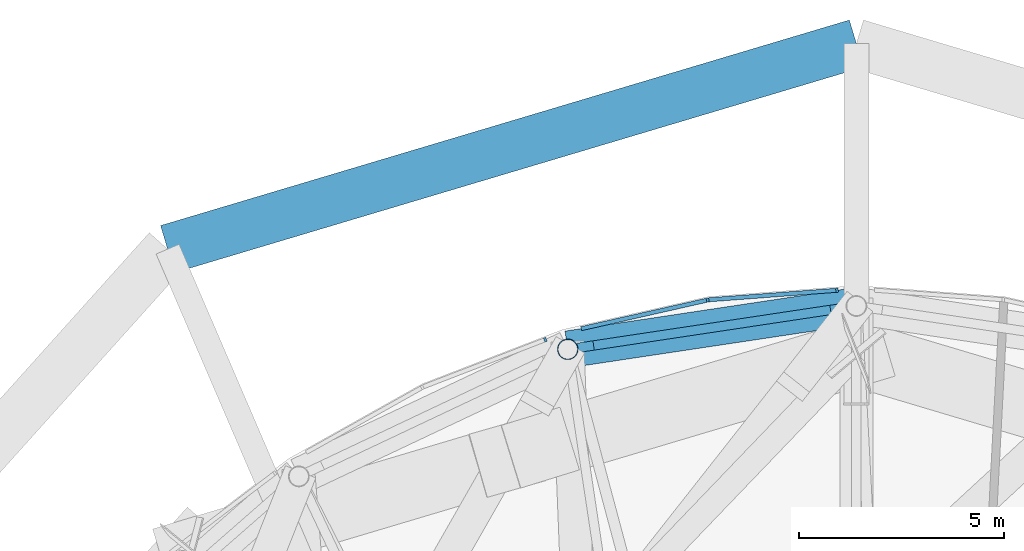
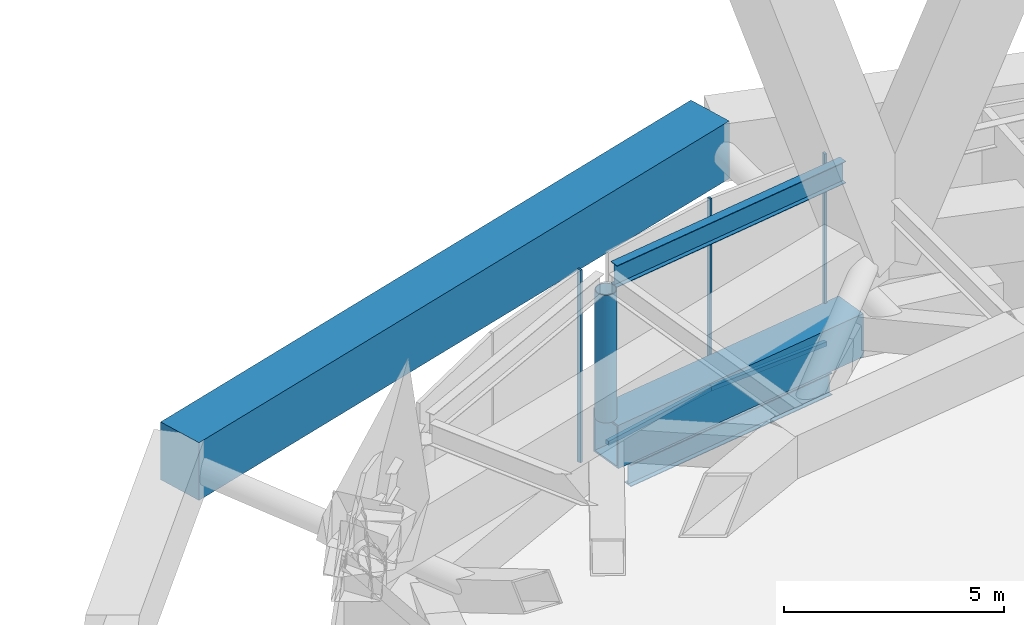
# One storey, part 44 of 65: 7 members, 3 beams, 3 elements without a shape of their own.
"""IFC4 building model written with IfcOpenShell, lengths in metres."""

from ifc_helpers import new_model, si_unit, direction, frame, origin, origin_2d, place, context, subcontext, project, spatial, rectangle, hollow_rectangle, hollow_circle, i_section, extrude, material, layer, layer_set, material_profile, profile_set, type_object, element, aggregate, save


model = new_model("IFC4")

# Units and contexts
model_context = context("Model", 3, precision=1e-05, world=origin(), true_north=direction((0.0, 1.0)))
body_context = subcontext(model_context, "Body", "Model", "MODEL_VIEW")
ifc_project = project(units=[si_unit("LENGTHUNIT", "METRE"), si_unit("AREAUNIT", "SQUARE_METRE"), si_unit("VOLUMEUNIT", "CUBIC_METRE"), si_unit("PLANEANGLEUNIT", "RADIAN"), si_unit("MASSUNIT", "GRAM", prefix="KILO")], contexts=[model_context])

# Site, building, storey
site_placement = place(None, origin())
site = spatial("IfcSite", under=ifc_project, at=site_placement, CompositionType="ELEMENT")
building_placement = place(site_placement, origin())
building = spatial("IfcBuilding", under=site, at=building_placement, Name="Nagisa Residences", CompositionType="ELEMENT")
storey_placement = place(building_placement, frame((0.0, 0.0, 114.0)))
storey = spatial("IfcBuildingStorey", under=building, at=storey_placement, Name="L28", CompositionType="ELEMENT", Elevation=114.0)

# Beam
ifc_material_1 = material(Name="Steel ASTM A572 Gr 50", Category="steel")
ifc_material_profile_1 = material_profile(ifc_material_1, hollow_rectangle(XDim=0.89990234375, YDim=1.199951171875, WallThickness=0.050048828125, at=origin_2d()), Name="BX 900x1200x50")
ifc_profile_set_1 = profile_set([ifc_material_profile_1], Name="Steel ASTM A572 Gr 50")
beam_type_1 = type_object("IfcBeamType", Name="Belt chord 2 BX 900x1200x50", PredefinedType="BEAM", material=ifc_profile_set_1)
beam_1_placement = place(storey_placement, frame((-1.800048828125, 34.1328125, 0.60009765625), z_axis=(-0.988913697291, -0.14849141157, 0.0), x_axis=(0.14849141157, -0.988913697291, 0.0)))
element("IfcBeam", 1, at=beam_1_placement, inside=storey, type_object=beam_type_1, Name="beam:L28:bt2b07", PredefinedType="BEAM", context=body_context, shape_type="SweptSolid", body=[
    extrude(hollow_rectangle(XDim=0.89990234375, YDim=1.199951171875, WallThickness=0.050048828125, at=origin_2d()), origin(), (0.0, 0.0, 1.0), 7.117431640625),
])

# Curtain wall, member
ifc_material_2 = material(Name="Aluminium curtain wall system", Category="aluminium")
ifc_layer = layer(ifc_material_2, 0.159912109375)
ifc_layer_set = layer_set([ifc_layer], Name="CW5 CURTAIN WALL")
curtain_wall_type = type_object("IfcCurtainWallType", Name="CW5 CURTAIN WALL", PredefinedType="NOTDEFINED", material=ifc_layer_set)
curtain_wall_1_placement = place(storey_placement, origin())
curtain_wall_1 = element("IfcCurtainWall", 2, at=curtain_wall_1_placement, inside=storey, type_object=curtain_wall_type, Name="cw:CW5:L28:12", PredefinedType="NOTDEFINED")
ifc_material_3 = material(Name="Aluminium", Category="aluminium")
ifc_material_profile_2 = material_profile(ifc_material_3, rectangle(XDim=0.10009765625, YDim=0.06005859375, at=origin_2d()), Name="CW5 MULLION 100x60")
ifc_profile_set_2 = profile_set([ifc_material_profile_2], Name="Aluminium")
member_type_1 = type_object("IfcMemberType", Name="CW5 MULLION 100x60", PredefinedType="MULLION", material=ifc_profile_set_2)
member_1_placement = place(storey_placement, frame((-2.272705078125, 34.51708984375, 0.0), z_axis=(0.0, 0.0, 1.0), x_axis=(0.074377355493, -0.997230168512, 0.0)))
member_1 = element("IfcMember", 3, at=member_1_placement, type_object=member_type_1, Name="CW5 mullion", PredefinedType="MULLION", context=body_context, shape_type="SweptSolid", body=[
    extrude(rectangle(XDim=0.10009765625, YDim=0.06005859375, at=origin_2d()), origin(), (0.0, 0.0, 1.0), 5.340087890625),
])

curtain_wall_2_placement = place(storey_placement, origin())
curtain_wall_2 = element("IfcCurtainWall", 4, at=curtain_wall_2_placement, inside=storey, type_object=curtain_wall_type, Name="cw:CW5:L28:13", PredefinedType="NOTDEFINED")
member_2_placement = place(storey_placement, frame((-5.426513671875, 34.2783203125, 0.0), z_axis=(0.0, 0.0, 1.0), x_axis=(0.2207639201, -0.975327274089, 0.0)))
member_2 = element("IfcMember", 5, at=member_2_placement, type_object=member_type_1, Name="CW5 mullion", PredefinedType="MULLION", context=body_context, shape_type="SweptSolid", body=[
    extrude(rectangle(XDim=0.10009765625, YDim=0.06005859375, at=origin_2d()), origin(), (0.0, 0.0, 1.0), 5.340087890625),
])

curtain_wall_3_placement = place(storey_placement, origin())
curtain_wall_3 = element("IfcCurtainWall", 6, at=curtain_wall_3_placement, inside=storey, type_object=curtain_wall_type, Name="cw:CW5:L28:14", PredefinedType="NOTDEFINED")
member_3_placement = place(storey_placement, frame((-9.386962890625, 33.311279296875, 0.0), z_axis=(0.0, 0.0, 1.0), x_axis=(0.360327770268, -0.932825759707, 0.0)))
member_3 = element("IfcMember", 7, at=member_3_placement, type_object=member_type_1, Name="CW5 mullion", PredefinedType="MULLION", context=body_context, shape_type="SweptSolid", body=[
    extrude(rectangle(XDim=0.10009765625, YDim=0.06005859375, at=origin_2d()), origin(), (0.0, 0.0, 1.0), 5.340087890625),
])
aggregate(curtain_wall_3, [member_3])

# Member
ifc_material_4 = material(Name="Aluminium", Category="aluminium")
ifc_material_profile_3 = material_profile(ifc_material_4, rectangle(XDim=0.10009765625, YDim=0.1201171875, at=origin_2d()), Name="CW5 TRANSOM 100x120")
ifc_profile_set_3 = profile_set([ifc_material_profile_3], Name="Aluminium")
member_type_2 = type_object("IfcMemberType", Name="CW5 TRANSOM 100x120", PredefinedType="USERDEFINED", material=ifc_profile_set_3)
member_4_placement = place(storey_placement, frame((-2.242919921875, 34.51953125, 0.06005859375), z_axis=(-0.99722562959, -0.074438187033, 0.0), x_axis=(0.074438187033, -0.99722562959, 0.0)))
member_4 = element("IfcMember", 8, at=member_4_placement, type_object=member_type_2, Name="CW5 transom", ObjectType="TRANSOM", PredefinedType="USERDEFINED", context=body_context, shape_type="SweptSolid", body=[
    extrude(rectangle(XDim=0.10009765625, YDim=0.1201171875, at=origin_2d()), origin(), (0.0, 0.0, 1.0), 3.1748046875),
])

aggregate(curtain_wall_1, [member_1, member_4])

member_5_placement = place(storey_placement, frame((-5.397216796875, 34.28515625, 0.06005859375), z_axis=(-0.975315784554, -0.220814674333, 0.0), x_axis=(0.220814674333, -0.975315784554, 0.0)))
member_5 = element("IfcMember", 9, at=member_5_placement, type_object=member_type_2, Name="CW5 transom", ObjectType="TRANSOM", PredefinedType="USERDEFINED", context=body_context, shape_type="SweptSolid", body=[
    extrude(rectangle(XDim=0.10009765625, YDim=0.1201171875, at=origin_2d()), origin(), (0.0, 0.0, 1.0), 3.193115234375),
])

aggregate(curtain_wall_2, [member_2, member_5])

ifc_material_5 = material(Name="Concrete C80", Category="concrete")
ifc_material_profile_4 = material_profile(ifc_material_5, rectangle(XDim=1.199951171875, YDim=1.60009765625, at=origin_2d()), Name="C80 1200x1600")
ifc_profile_set_4 = profile_set([ifc_material_profile_4], Name="Concrete C80")
member_type_3 = type_object("IfcMemberType", Name="Cage ring 2 C80 1200x1600", PredefinedType="CHORD", material=ifc_profile_set_4)
member_6_placement = place(storey_placement, frame((-1.800048828125, 40.53271484375, 1.89990234375), z_axis=(-0.958241572498, -0.285959942538, 0.0), x_axis=(0.285959942538, -0.958241572498, 0.0)))
element("IfcMember", 10, at=member_6_placement, inside=storey, type_object=member_type_3, Name="beam:L28:cg2r104", PredefinedType="CHORD", context=body_context, shape_type="SweptSolid", body=[
    extrude(rectangle(XDim=1.199951171875, YDim=1.60009765625, at=origin_2d()), origin(), (0.0, 0.0, 1.0), 17.529296875),
])

# Beam
ifc_material_6 = material(Name="Steel ASTM A572 Gr 50", Category="steel")
ifc_material_profile_5 = material_profile(ifc_material_6, i_section(OverallWidth=0.22802734375, OverallDepth=0.60302734375, WebThickness=0.010498046875, FlangeThickness=0.014892578125, at=origin_2d()), Name="W610x101")
ifc_profile_set_5 = profile_set([ifc_material_profile_5], Name="Steel ASTM A572 Gr 50")
beam_type_2 = type_object("IfcBeamType", Name="Garden edge beam W610x101", PredefinedType="BEAM", material=ifc_profile_set_5)
beam_2_placement = place(storey_placement, frame((-2.031494140625, 34.097900390625, 5.03857421875), z_axis=(-0.988915336593, -0.148480493843, 0.0), x_axis=(0.148480493843, -0.988915336593, 0.0)))
element("IfcBeam", 11, at=beam_2_placement, inside=storey, type_object=beam_type_2, Name="beam:L28:bt2ge07", PredefinedType="BEAM", context=body_context, shape_type="SweptSolid", body=[
    extrude(i_section(OverallWidth=0.22802734375, OverallDepth=0.60302734375, WebThickness=0.010498046875, FlangeThickness=0.014892578125, at=origin_2d()), origin(), (0.0, 0.0, 1.0), 6.6494140625),
])

# Member
ifc_material_7 = material(Name="Steel ASTM A572 Gr 65", Category="steel")
ifc_material_profile_6 = material_profile(ifc_material_7, hollow_circle(Radius=0.25390625, WallThickness=0.02001953125, at=origin_2d()), Name="CHS 508x20")
ifc_profile_set_6 = profile_set([ifc_material_profile_6], Name="Steel ASTM A572 Gr 65")
member_type_4 = type_object("IfcMemberType", Name="Garden edge post CHS 508x20", PredefinedType="POST", material=ifc_profile_set_6)
member_7_placement = place(storey_placement, frame((-8.838623046875, 33.075927734375, 1.199951171875), z_axis=(0.0, 0.0, 1.0), x_axis=(1.0, 0.0, 0.0)))
element("IfcMember", 12, at=member_7_placement, inside=storey, type_object=member_type_4, Name="mem:L28:gp208", PredefinedType="POST", context=body_context, shape_type="SweptSolid", body=[
    extrude(hollow_circle(Radius=0.25390625, WallThickness=0.02001953125, at=origin_2d()), origin(), (0.0, 0.0, 1.0), 3.537109375),
])

# Beam
ifc_material_8 = material(Name="Steel ASTM A572 Gr 50", Category="steel")
ifc_material_profile_7 = material_profile(ifc_material_8, i_section(OverallWidth=0.22900390625, OverallDepth=0.612060546875, WebThickness=0.011962890625, FlangeThickness=0.01953125, at=origin_2d()), Name="W610x125")
ifc_profile_set_7 = profile_set([ifc_material_profile_7], Name="Steel ASTM A572 Gr 50")
beam_type_3 = type_object("IfcBeamType", Name="Perimeter ring beam W610x125", PredefinedType="BEAM", material=ifc_profile_set_7)
beam_3_placement = place(storey_placement, frame((-2.43017578125, 34.0380859375, -0.656005859375), z_axis=(-0.988913048607, -0.148495731568, 0.0), x_axis=(0.148495731568, -0.988913048607, 0.0)))
element("IfcBeam", 13, at=beam_3_placement, inside=storey, type_object=beam_type_3, Name="beam:L28:pb07", PredefinedType="BEAM", context=body_context, shape_type="SweptSolid", body=[
    extrude(i_section(OverallWidth=0.22900390625, OverallDepth=0.612060546875, WebThickness=0.011962890625, FlangeThickness=0.01953125, at=origin_2d()), origin(), (0.0, 0.0, 1.0), 5.843017578125),
])

save(model, "model.ifc")
